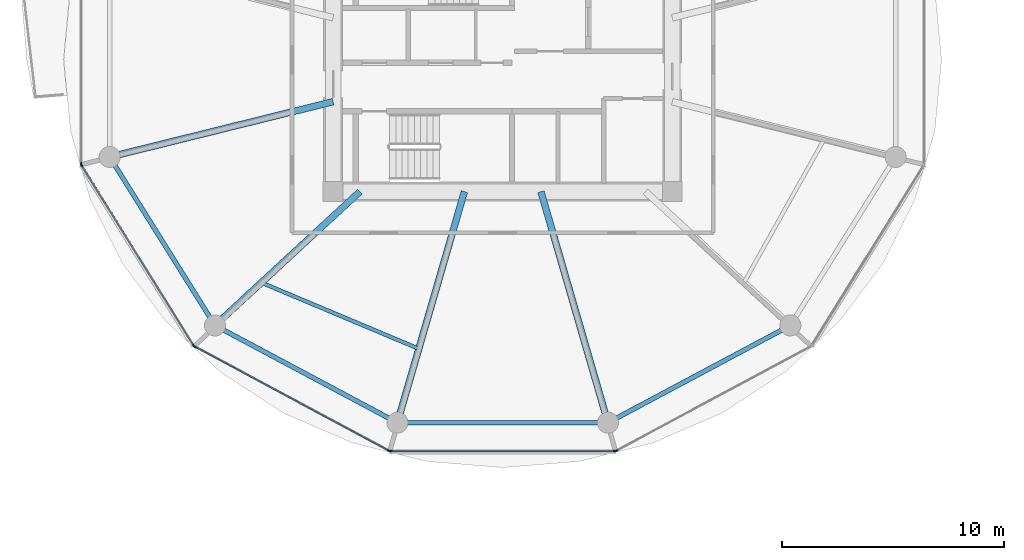
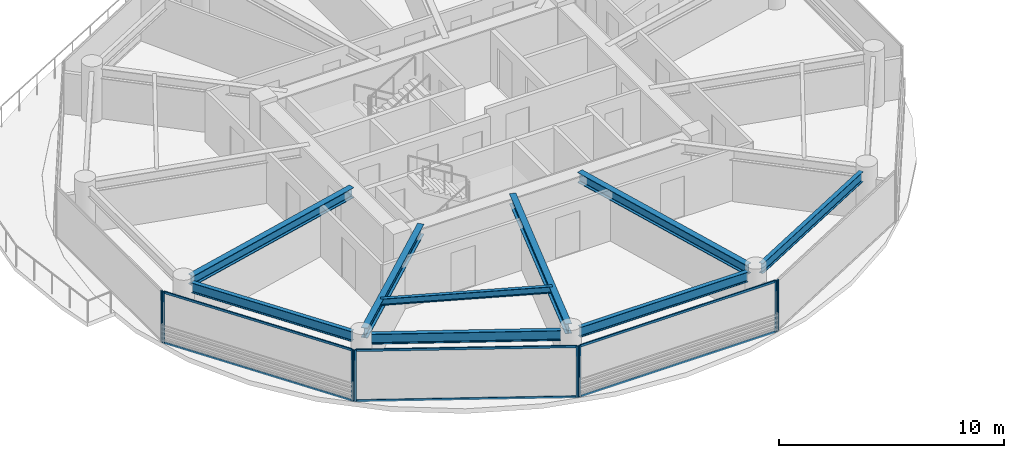
# One storey, part 2 of 26: 14 members, 9 beams, 5 elements without a shape of their own.
"""IFC4 building model written with IfcOpenShell, lengths in metres."""

from ifc_helpers import new_model, si_unit, direction, frame, origin, origin_2d, place, context, subcontext, project, spatial, rectangle, i_section, extrude, source, transform, mapped, material, layer, layer_set, material_profile, profile_set, type_object, type_shapes, element, aggregate, save


model = new_model("IFC4")

# Units and contexts
model_context = context("Model", 3, precision=1e-05, world=origin(), true_north=direction((0.0, 1.0)))
body_context = subcontext(model_context, "Body", "Model", "MODEL_VIEW")
ifc_project = project(units=[si_unit("LENGTHUNIT", "METRE"), si_unit("AREAUNIT", "SQUARE_METRE"), si_unit("VOLUMEUNIT", "CUBIC_METRE"), si_unit("PLANEANGLEUNIT", "RADIAN"), si_unit("MASSUNIT", "GRAM", prefix="KILO")], contexts=[model_context])

# Site, building, storey
site_placement = place(None, origin())
site = spatial("IfcSite", under=ifc_project, at=site_placement, CompositionType="ELEMENT")
building_placement = place(site_placement, origin())
building = spatial("IfcBuilding", under=site, at=building_placement, Name="Norrkilde Senior Care Towers", CompositionType="ELEMENT")
storey_placement = place(building_placement, frame((0.0, 0.0, 24.64990234375)))
storey = spatial("IfcBuildingStorey", under=building, at=storey_placement, Name="L06", CompositionType="ELEMENT", Elevation=24.64990234375)

# Beams
ifc_material_1 = material(Name="Steel S355", Category="steel")
ifc_material_profile_1 = material_profile(ifc_material_1, i_section(OverallWidth=0.2099609375, OverallDepth=0.550048828125, WebThickness=0.010986328125, FlangeThickness=0.01708984375, FilletRadius=0.02392578125, at=origin_2d()), Name="IPE 550")
ifc_profile_set_1 = profile_set([ifc_material_profile_1], Name="Steel S355")
beam_type_1 = type_object("IfcBeamType", Name="Perimeter Ring Spandrel Z1 IPE550", PredefinedType="SPANDREL", material=ifc_profile_set_1)
shared_shape_1 = source(origin(), body_context, "Body", "SweptSolid", [
    extrude(i_section(OverallWidth=0.2099609375, OverallDepth=0.550048828125, WebThickness=0.010986328125, FlangeThickness=0.01708984375, FilletRadius=0.02392578125, at=origin_2d()), origin(), (0.0, 0.0, 1.0), 8.090576171875),
])
beam_1_placement = place(storey_placement, frame((-45.494140625, -4.755859375, 2.51513671875), z_axis=(0.530004364821, -0.84799491347, 0.0), x_axis=(0.84799491347, 0.530004364821, 0.0)))
element("IfcBeam", 1, at=beam_1_placement, inside=storey, type_object=beam_type_1, Name="L06 Drum W Perimeter Spandrel 07", PredefinedType="SPANDREL", context=body_context, shape_type="MappedRepresentation", body=[
    mapped(shared_shape_1, transform((0.0, 0.0, 0.0), x_axis=(1.0, 0.0, 0.0), y_axis=(0.0, 1.0, 0.0), z_axis=(0.0, 0.0, 1.0), scale=1.0)),
])
ifc_material_profile_2 = material_profile(ifc_material_1, i_section(OverallWidth=0.300048828125, OverallDepth=0.550048828125, WebThickness=0.014892578125, FlangeThickness=0.029052734375, FilletRadius=0.027099609375, at=origin_2d()), Name="HEB 550")
ifc_profile_set_2 = profile_set([ifc_material_profile_2], Name="Steel S355")
beam_type_2 = type_object("IfcBeamType", Name="Radial Floor Beam Z1 HEB550", PredefinedType="BEAM", material=ifc_profile_set_2)
shared_shape_2 = source(origin(), body_context, "Body", "SweptSolid", [
    extrude(i_section(OverallWidth=0.300048828125, OverallDepth=0.550048828125, WebThickness=0.014892578125, FlangeThickness=0.029052734375, FilletRadius=0.027099609375, at=origin_2d()), origin(), (0.0, 0.0, 1.0), 9.94384765625),
])
beam_2_placement = place(storey_placement, frame((-35.64990234375, -1.893310546875, 2.51513671875), z_axis=(-0.970707425182, -0.240264634718, 0.0), x_axis=(0.240264634718, -0.970707425182, 0.0)))
element("IfcBeam", 2, at=beam_2_placement, inside=storey, type_object=beam_type_2, Name="L06 Drum W Radial Floor Beam 07", PredefinedType="BEAM", context=body_context, shape_type="MappedRepresentation", body=[
    mapped(shared_shape_2, transform((0.0, 0.0, 0.0), x_axis=(1.0, 0.0, 0.0), y_axis=(0.0, 1.0, 0.0), z_axis=(0.0, 0.0, 1.0), scale=1.0)),
])
shared_shape_3 = source(origin(), body_context, "Body", "SweptSolid", [
    extrude(i_section(OverallWidth=0.2099609375, OverallDepth=0.550048828125, WebThickness=0.010986328125, FlangeThickness=0.01708984375, FilletRadius=0.02392578125, at=origin_2d()), origin(), (0.0, 0.0, 1.0), 8.452880859375),
])
for number, where, z_axis, x_axis, name in (
    (3, (-40.591552734375, -12.190185546875, 2.51513671875), (0.882368931134, -0.470558252898, 0.0), (0.470558252898, 0.882368931134, 0.0), "L06 Drum W Perimeter Spandrel 08"),
    (4, (-22.866943359375, -16.167724609375, 2.51513671875), (0.882368931134, 0.470558252898, 0.0), (-0.470558252898, 0.882368931134, 0.0), "L06 Drum W Perimeter Spandrel 10"),
):
    element("IfcBeam", number, at=place(storey_placement, frame(where, z_axis=z_axis, x_axis=x_axis)), inside=storey, type_object=beam_type_1, Name=name, PredefinedType="SPANDREL", context=body_context, shape_type="MappedRepresentation", body=[
        mapped(shared_shape_3, transform((0.0, 0.0, 0.0), x_axis=(1.0, 0.0, 0.0), y_axis=(0.0, 1.0, 0.0), z_axis=(0.0, 0.0, 1.0), scale=1.0)),
    ])
shared_shape_4 = source(origin(), body_context, "Body", "SweptSolid", [
    extrude(i_section(OverallWidth=0.300048828125, OverallDepth=0.550048828125, WebThickness=0.014892578125, FlangeThickness=0.029052734375, FilletRadius=0.027099609375, at=origin_2d()), origin(), (0.0, 0.0, 1.0), 8.459716796875),
])
beam_3_placement = place(storey_placement, frame((-34.44140625, -5.949951171875, 2.51513671875), z_axis=(-0.734573269108, -0.678529374686, 0.0), x_axis=(0.678529374686, -0.734573269108, 0.0)))
element("IfcBeam", 5, at=beam_3_placement, inside=storey, type_object=beam_type_2, Name="L06 Drum W Radial Floor Beam 08", PredefinedType="BEAM", context=body_context, shape_type="MappedRepresentation", body=[
    mapped(shared_shape_4, transform((0.0, 0.0, 0.0), x_axis=(1.0, 0.0, 0.0), y_axis=(0.0, 1.0, 0.0), z_axis=(0.0, 0.0, 1.0), scale=1.0)),
])
shared_shape_5 = source(origin(), body_context, "Body", "SweptSolid", [
    extrude(i_section(OverallWidth=0.2099609375, OverallDepth=0.550048828125, WebThickness=0.010986328125, FlangeThickness=0.01708984375, FilletRadius=0.02392578125, at=origin_2d()), origin(), (0.0, 0.0, 1.0), 8.62841796875),
])
type_shapes(beam_type_1, [shared_shape_1, shared_shape_3, shared_shape_5])
beam_4_placement = place(storey_placement, frame((-32.314208984375, -16.37255859375, 2.51513671875), z_axis=(1.0, 0.0, 0.0), x_axis=(0.0, 1.0, 0.0)))
element("IfcBeam", 6, at=beam_4_placement, inside=storey, type_object=beam_type_1, Name="L06 Drum W Perimeter Spandrel 09", PredefinedType="SPANDREL", context=body_context, shape_type="MappedRepresentation", body=[
    mapped(shared_shape_5, transform((0.0, 0.0, 0.0), x_axis=(1.0, 0.0, 0.0), y_axis=(0.0, 1.0, 0.0), z_axis=(0.0, 0.0, 1.0), scale=1.0)),
])
shared_shape_6 = source(origin(), body_context, "Body", "SweptSolid", [
    extrude(i_section(OverallWidth=0.300048828125, OverallDepth=0.550048828125, WebThickness=0.014892578125, FlangeThickness=0.029052734375, FilletRadius=0.027099609375, at=origin_2d()), origin(), (0.0, 0.0, 1.0), 10.4169921875),
])
type_shapes(beam_type_2, [shared_shape_2, shared_shape_4, shared_shape_6])
for number, where, z_axis, x_axis, name in (
    (7, (-29.72607421875, -5.949951171875, 2.51513671875), (-0.278591250785, -0.960409764104, 0.0), (0.960409764104, -0.278591250785, 0.0), "L06 Drum W Radial Floor Beam 09"),
    (8, (-26.27392578125, -5.949951171875, 2.51513671875), (0.278591250785, -0.960409764104, 0.0), (0.960409764104, 0.278591250785, 0.0), "L06 Drum W Radial Floor Beam 10"),
):
    element("IfcBeam", number, at=place(storey_placement, frame(where, z_axis=z_axis, x_axis=x_axis)), inside=storey, type_object=beam_type_2, Name=name, PredefinedType="BEAM", context=body_context, shape_type="MappedRepresentation", body=[
        mapped(shared_shape_6, transform((0.0, 0.0, 0.0), x_axis=(1.0, 0.0, 0.0), y_axis=(0.0, 1.0, 0.0), z_axis=(0.0, 0.0, 1.0), scale=1.0)),
    ])
ifc_material_profile_3 = material_profile(ifc_material_1, i_section(OverallWidth=0.169921875, OverallDepth=0.360107421875, WebThickness=0.008056640625, FlangeThickness=0.0126953125, FilletRadius=0.01806640625, at=origin_2d()), Name="IPE 360")
ifc_profile_set_3 = profile_set([ifc_material_profile_3], Name="Steel S355")
beam_type_3 = type_object("IfcBeamType", Name="Secondary Floor Joist IPE360", PredefinedType="JOIST", material=ifc_profile_set_3)
shared_shape_7 = source(origin(), body_context, "Body", "SweptSolid", [
    extrude(i_section(OverallWidth=0.169921875, OverallDepth=0.360107421875, WebThickness=0.008056640625, FlangeThickness=0.0126953125, FilletRadius=0.01806640625, at=origin_2d()), origin(), (0.0, 0.0, 1.0), 7.703857421875),
])
type_shapes(beam_type_3, [shared_shape_7])
beam_5_placement = place(storey_placement, frame((-38.884521484375, -10.05419921875, 2.610107421875), z_axis=(0.921982784465, -0.387230868023, 0.0), x_axis=(0.387230868023, 0.921982784465, 0.0)))
element("IfcBeam", 9, at=beam_5_placement, inside=storey, type_object=beam_type_3, Name="L06 Drum W Secondary Floor Joist 3", PredefinedType="JOIST", context=body_context, shape_type="MappedRepresentation", body=[
    mapped(shared_shape_7, transform((0.0, 0.0, 0.0), x_axis=(1.0, 0.0, 0.0), y_axis=(0.0, 1.0, 0.0), z_axis=(0.0, 0.0, 1.0), scale=1.0)),
])

# Curtain wall, member
ifc_material_2 = material(Name="Triple Low-E Insulated Glazing", Category="glass")
ifc_layer = layer(ifc_material_2, 0.199951171875)
ifc_layer_set = layer_set([ifc_layer], Name="Triple Low-E Insulated Glazing")
curtain_wall_type = type_object("IfcCurtainWallType", Name="CW2 Zone 1 Memory Care Curtain Wall", PredefinedType="NOTDEFINED", material=ifc_layer_set)
curtain_wall_1_placement = place(storey_placement, origin())
curtain_wall_1 = element("IfcCurtainWall", 10, at=curtain_wall_1_placement, inside=storey, type_object=curtain_wall_type, Name="L06 Drum W Curtain Wall 05", PredefinedType="NOTDEFINED")
ifc_material_3 = material(Name="Anodised Aluminium", Category="aluminium")
ifc_material_profile_4 = material_profile(ifc_material_3, rectangle(XDim=0.06494140625, YDim=0.159912109375, at=origin_2d()), Name="ALU MULL 65x160")
ifc_profile_set_4 = profile_set([ifc_material_profile_4], Name="Anodised Aluminium")
member_type_1 = type_object("IfcMemberType", Name="Curtain Wall Mullion Z1-Z2 65x160", PredefinedType="MULLION", material=ifc_profile_set_4)
shared_shape_8 = source(origin(), body_context, "Body", "SweptSolid", [
    extrude(rectangle(XDim=0.06494140625, YDim=0.159912109375, at=origin_2d()), origin(), (0.0, 0.0, 1.0), 2.7900390625),
])
type_shapes(member_type_1, [shared_shape_8])
member_1_placement = place(storey_placement, frame((-47.009521484375, -4.69873046875, 0.0), z_axis=(0.0, 0.0, 1.0), x_axis=(-1.0, 0.0, 0.0)))
member_1 = element("IfcMember", 11, at=member_1_placement, type_object=member_type_1, Name="CW-2 mullion 1", PredefinedType="MULLION", context=body_context, shape_type="MappedRepresentation", body=[
    mapped(shared_shape_8, transform((0.0, 0.0, 0.0), x_axis=(1.0, 0.0, 0.0), y_axis=(0.0, 1.0, 0.0), z_axis=(0.0, 0.0, 1.0), scale=1.0)),
])
aggregate(curtain_wall_1, [member_1])

# Curtain wall, members
curtain_wall_2_placement = place(storey_placement, origin())
curtain_wall_2 = element("IfcCurtainWall", 12, at=curtain_wall_2_placement, inside=storey, type_object=curtain_wall_type, Name="L06 Drum W Curtain Wall 06", PredefinedType="NOTDEFINED")
member_2_placement = place(storey_placement, frame((-41.93310546875, -12.898193359375, 0.0), z_axis=(0.0, 0.0, 1.0), x_axis=(-0.849305943117, -0.527900951871, 0.0)))
member_2 = element("IfcMember", 13, at=member_2_placement, type_object=member_type_1, Name="CW-2 mullion 1", PredefinedType="MULLION", context=body_context, shape_type="MappedRepresentation", body=[
    mapped(shared_shape_8, transform((0.0, 0.0, 0.0), x_axis=(1.0, 0.0, 0.0), y_axis=(0.0, 1.0, 0.0), z_axis=(0.0, 0.0, 1.0), scale=1.0)),
])
member_3_placement = place(storey_placement, frame((-46.9921875, -4.7587890625, 0.0), z_axis=(0.0, 0.0, 1.0), x_axis=(-0.849305943117, -0.527900951871, 0.0)))
member_3 = element("IfcMember", 14, at=member_3_placement, type_object=member_type_1, Name="CW-2 mullion 2", PredefinedType="MULLION", context=body_context, shape_type="MappedRepresentation", body=[
    mapped(shared_shape_8, transform((0.0, 0.0, 0.0), x_axis=(1.0, 0.0, 0.0), y_axis=(0.0, 1.0, 0.0), z_axis=(0.0, 0.0, 1.0), scale=1.0)),
])

curtain_wall_3_placement = place(storey_placement, origin())
curtain_wall_3 = element("IfcCurtainWall", 15, at=curtain_wall_3_placement, inside=storey, type_object=curtain_wall_type, Name="L06 Drum W Curtain Wall 07", PredefinedType="NOTDEFINED")
member_4_placement = place(storey_placement, frame((-33.122314453125, -17.641845703125, 0.0), z_axis=(0.0, 0.0, 1.0), x_axis=(-0.472607802456, -0.881272866403, 0.0)))
member_4 = element("IfcMember", 16, at=member_4_placement, type_object=member_type_1, Name="CW-2 mullion 1", PredefinedType="MULLION", context=body_context, shape_type="MappedRepresentation", body=[
    mapped(shared_shape_8, transform((0.0, 0.0, 0.0), x_axis=(1.0, 0.0, 0.0), y_axis=(0.0, 1.0, 0.0), z_axis=(0.0, 0.0, 1.0), scale=1.0)),
])
member_5_placement = place(storey_placement, frame((-41.88720703125, -12.941162109375, 0.0), z_axis=(0.0, 0.0, 1.0), x_axis=(-0.472607802456, -0.881272866403, 0.0)))
member_5 = element("IfcMember", 17, at=member_5_placement, type_object=member_type_1, Name="CW-2 mullion 2", PredefinedType="MULLION", context=body_context, shape_type="MappedRepresentation", body=[
    mapped(shared_shape_8, transform((0.0, 0.0, 0.0), x_axis=(1.0, 0.0, 0.0), y_axis=(0.0, 1.0, 0.0), z_axis=(0.0, 0.0, 1.0), scale=1.0)),
])

curtain_wall_4_placement = place(storey_placement, origin())
curtain_wall_4 = element("IfcCurtainWall", 18, at=curtain_wall_4_placement, inside=storey, type_object=curtain_wall_type, Name="L06 Drum W Curtain Wall 08", PredefinedType="NOTDEFINED")
member_6_placement = place(storey_placement, frame((-22.93896484375, -17.6572265625, 0.0), z_axis=(0.0, 0.0, 1.0), x_axis=(0.0, -1.0, 0.0)))
member_6 = element("IfcMember", 19, at=member_6_placement, type_object=member_type_1, Name="CW-2 mullion 1", PredefinedType="MULLION", context=body_context, shape_type="MappedRepresentation", body=[
    mapped(shared_shape_8, transform((0.0, 0.0, 0.0), x_axis=(1.0, 0.0, 0.0), y_axis=(0.0, 1.0, 0.0), z_axis=(0.0, 0.0, 1.0), scale=1.0)),
])
member_7_placement = place(storey_placement, frame((-33.06103515625, -17.6572265625, 0.0), z_axis=(0.0, 0.0, 1.0), x_axis=(0.0, -1.0, 0.0)))
member_7 = element("IfcMember", 20, at=member_7_placement, type_object=member_type_1, Name="CW-2 mullion 2", PredefinedType="MULLION", context=body_context, shape_type="MappedRepresentation", body=[
    mapped(shared_shape_8, transform((0.0, 0.0, 0.0), x_axis=(1.0, 0.0, 0.0), y_axis=(0.0, 1.0, 0.0), z_axis=(0.0, 0.0, 1.0), scale=1.0)),
])

# Curtain wall, member
curtain_wall_5_placement = place(storey_placement, origin())
curtain_wall_5 = element("IfcCurtainWall", 21, at=curtain_wall_5_placement, inside=storey, type_object=curtain_wall_type, Name="L06 Drum W Curtain Wall 09", PredefinedType="NOTDEFINED")
member_8_placement = place(storey_placement, frame((-22.877685546875, -17.641845703125, 0.0), z_axis=(0.0, 0.0, 1.0), x_axis=(0.472607802456, -0.881272866403, 0.0)))
member_8 = element("IfcMember", 22, at=member_8_placement, type_object=member_type_1, Name="CW-2 mullion 2", PredefinedType="MULLION", context=body_context, shape_type="MappedRepresentation", body=[
    mapped(shared_shape_8, transform((0.0, 0.0, 0.0), x_axis=(1.0, 0.0, 0.0), y_axis=(0.0, 1.0, 0.0), z_axis=(0.0, 0.0, 1.0), scale=1.0)),
])
aggregate(curtain_wall_5, [member_8])

# Member
ifc_material_profile_5 = material_profile(ifc_material_3, rectangle(XDim=0.06005859375, YDim=0.1201171875, at=origin_2d()), Name="ALU TRAN 60x120")
ifc_profile_set_5 = profile_set([ifc_material_profile_5], Name="Anodised Aluminium")
member_type_2 = type_object("IfcMemberType", Name="Curtain Wall Transom Typical 60x120", PredefinedType="USERDEFINED", material=ifc_profile_set_5)
shared_shape_9 = source(origin(), body_context, "Body", "SweptSolid", [
    extrude(rectangle(XDim=0.06005859375, YDim=0.1201171875, at=origin_2d()), origin(), (0.0, 0.0, 1.0), 9.5185546875),
])
member_9_placement = place(storey_placement, frame((-41.9501953125, -12.87060546875, 0.030029296875), z_axis=(-0.527901620669, 0.849305527413, 0.0), x_axis=(-0.849305527413, -0.527901620669, 0.0)))
member_9 = element("IfcMember", 23, at=member_9_placement, type_object=member_type_2, Name="CW-2 transom 1.1", ObjectType="TRANSOM", PredefinedType="USERDEFINED", context=body_context, shape_type="MappedRepresentation", body=[
    mapped(shared_shape_9, transform((0.0, 0.0, 0.0), x_axis=(1.0, 0.0, 0.0), y_axis=(0.0, 1.0, 0.0), z_axis=(0.0, 0.0, 1.0), scale=1.0)),
])

member_10_placement = place(storey_placement, frame((-41.9501953125, -12.87060546875, 2.760009765625), z_axis=(-0.527901620669, 0.849305527413, 0.0), x_axis=(-0.849305527413, -0.527901620669, 0.0)))
member_10 = element("IfcMember", 24, at=member_10_placement, type_object=member_type_2, Name="CW-2 transom 1.2", ObjectType="TRANSOM", PredefinedType="USERDEFINED", context=body_context, shape_type="MappedRepresentation", body=[
    mapped(shared_shape_9, transform((0.0, 0.0, 0.0), x_axis=(1.0, 0.0, 0.0), y_axis=(0.0, 1.0, 0.0), z_axis=(0.0, 0.0, 1.0), scale=1.0)),
])

aggregate(curtain_wall_2, [member_2, member_3, member_9, member_10])

shared_shape_10 = source(origin(), body_context, "Body", "SweptSolid", [
    extrude(rectangle(XDim=0.06005859375, YDim=0.1201171875, at=origin_2d()), origin(), (0.0, 0.0, 1.0), 9.880859375),
])
member_11_placement = place(storey_placement, frame((-33.15087890625, -17.62646484375, 0.030029296875), z_axis=(-0.881267204043, 0.47261836092, 0.0), x_axis=(-0.47261836092, -0.881267204043, 0.0)))
member_11 = element("IfcMember", 25, at=member_11_placement, type_object=member_type_2, Name="CW-2 transom 1.1", ObjectType="TRANSOM", PredefinedType="USERDEFINED", context=body_context, shape_type="MappedRepresentation", body=[
    mapped(shared_shape_10, transform((0.0, 0.0, 0.0), x_axis=(1.0, 0.0, 0.0), y_axis=(0.0, 1.0, 0.0), z_axis=(0.0, 0.0, 1.0), scale=1.0)),
])

member_12_placement = place(storey_placement, frame((-33.15087890625, -17.62646484375, 2.760009765625), z_axis=(-0.881267204043, 0.47261836092, 0.0), x_axis=(-0.47261836092, -0.881267204043, 0.0)))
member_12 = element("IfcMember", 26, at=member_12_placement, type_object=member_type_2, Name="CW-2 transom 1.2", ObjectType="TRANSOM", PredefinedType="USERDEFINED", context=body_context, shape_type="MappedRepresentation", body=[
    mapped(shared_shape_10, transform((0.0, 0.0, 0.0), x_axis=(1.0, 0.0, 0.0), y_axis=(0.0, 1.0, 0.0), z_axis=(0.0, 0.0, 1.0), scale=1.0)),
])

aggregate(curtain_wall_3, [member_4, member_5, member_11, member_12])

shared_shape_11 = source(origin(), body_context, "Body", "SweptSolid", [
    extrude(rectangle(XDim=0.06005859375, YDim=0.1201171875, at=origin_2d()), origin(), (0.0, 0.0, 1.0), 10.05712890625),
])
type_shapes(member_type_2, [shared_shape_9, shared_shape_10, shared_shape_11])
member_13_placement = place(storey_placement, frame((-22.971435546875, -17.6572265625, 0.030029296875), z_axis=(-1.0, 0.0, 0.0), x_axis=(0.0, -1.0, 0.0)))
member_13 = element("IfcMember", 27, at=member_13_placement, type_object=member_type_2, Name="CW-2 transom 1.1", ObjectType="TRANSOM", PredefinedType="USERDEFINED", context=body_context, shape_type="MappedRepresentation", body=[
    mapped(shared_shape_11, transform((0.0, 0.0, 0.0), x_axis=(1.0, 0.0, 0.0), y_axis=(0.0, 1.0, 0.0), z_axis=(0.0, 0.0, 1.0), scale=1.0)),
])

member_14_placement = place(storey_placement, frame((-22.971435546875, -17.6572265625, 2.760009765625), z_axis=(-1.0, 0.0, 0.0), x_axis=(0.0, -1.0, 0.0)))
member_14 = element("IfcMember", 28, at=member_14_placement, type_object=member_type_2, Name="CW-2 transom 1.2", ObjectType="TRANSOM", PredefinedType="USERDEFINED", context=body_context, shape_type="MappedRepresentation", body=[
    mapped(shared_shape_11, transform((0.0, 0.0, 0.0), x_axis=(1.0, 0.0, 0.0), y_axis=(0.0, 1.0, 0.0), z_axis=(0.0, 0.0, 1.0), scale=1.0)),
])

aggregate(curtain_wall_4, [member_6, member_7, member_13, member_14])

save(model, "model.ifc")
